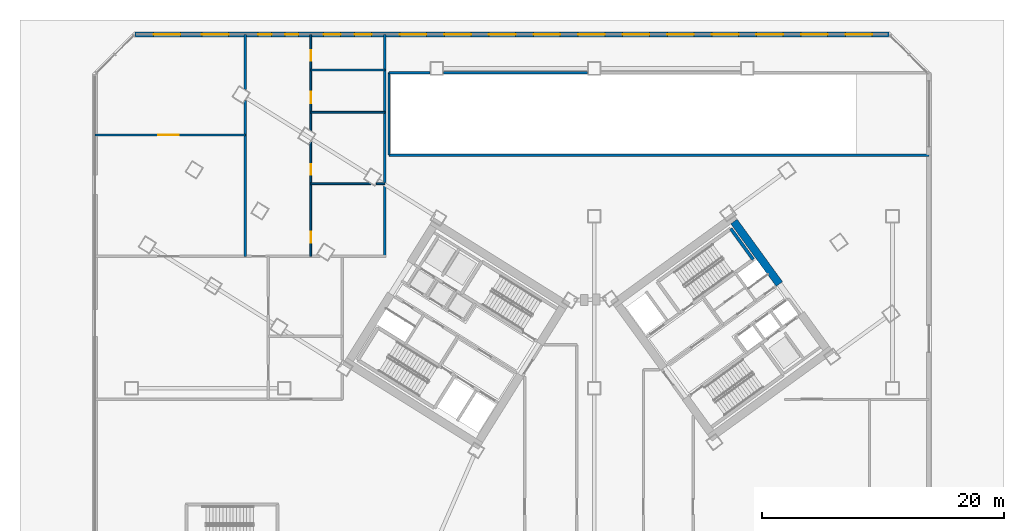
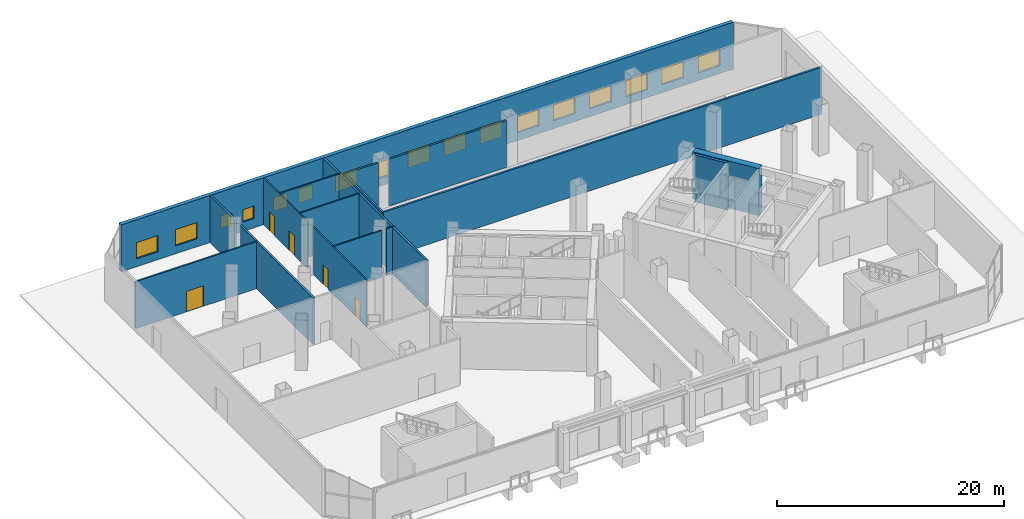
# One storey, part 13 of 22: 17 walls, 17 windows, 5 doors, 22 openings.
"""IFC4 building model written with IfcOpenShell, lengths in metres."""

from ifc_helpers import new_model, si_unit, direction, frame, frame_2d, origin, place, context, subcontext, project, spatial, rectangle, extrude, source, transform, mapped, material, layer, layer_set, type_object, element, fill, save


model = new_model("IFC4")

# Units and contexts
model_context = context("Model", 3, precision=1e-05, world=origin(), true_north=direction((0.0, 1.0)))
body_context = subcontext(model_context, "Body", "Model", "MODEL_VIEW")
ifc_project = project(units=[si_unit("LENGTHUNIT", "METRE"), si_unit("AREAUNIT", "SQUARE_METRE"), si_unit("VOLUMEUNIT", "CUBIC_METRE"), si_unit("PLANEANGLEUNIT", "RADIAN"), si_unit("MASSUNIT", "GRAM", prefix="KILO")], contexts=[model_context])

# Site, building, storey
site_placement = place(None, origin())
site = spatial("IfcSite", under=ifc_project, at=site_placement, CompositionType="ELEMENT")
building_placement = place(site_placement, origin())
building = spatial("IfcBuilding", under=site, at=building_placement, Name="Tlacorven Tower", CompositionType="ELEMENT")
storey_placement = place(building_placement, origin())
storey = spatial("IfcBuildingStorey", under=building, at=storey_placement, Name="L00", CompositionType="ELEMENT", Elevation=0.0)

# Wall
ifc_material_1 = material(Name="Concrete C60/75", Category="concrete")
ifc_layer_1 = layer(ifc_material_1, 0.64990234375)
ifc_layer_set_1 = layer_set([ifc_layer_1], Name="Concrete C60/75")
wall_type_1 = type_object("IfcWallType", Name="WL-COR-650", PredefinedType="SHEAR", material=ifc_layer_set_1)
wall_1_placement = place(storey_placement, frame((58.06396484375, 25.8134765625, 0.0), z_axis=(0.0, 0.0, 1.0), x_axis=(-0.58777996584, 0.809020835181, 0.0)))
element("IfcWall", 1, at=wall_1_placement, inside=storey, type_object=wall_type_1, Name="L00 E core end wall E2.2", PredefinedType="SHEAR", context=body_context, shape_type="SweptSolid", body=[
    extrude(rectangle(XDim=6.375, YDim=0.64990234375, at=frame_2d((3.1875, 0.0))), origin(), (0.0, 0.0, 1.0), 5.050048828125),
])

# Wall, opening, door
ifc_material_2 = material(Name="Gypsum plasterboard acoustic partition", Category="gypsum")
ifc_layer_2 = layer(ifc_material_2, 0.159912109375)
ifc_layer_set_2 = layer_set([ifc_layer_2], Name="Gypsum plasterboard acoustic partition")
wall_type_2 = type_object("IfcWallType", Name="WL-DEM-160", PredefinedType="PARTITIONING", material=ifc_layer_set_2)
wall_2_placement = place(storey_placement, frame((1.60009765625, 38.10009765625, 0.0), z_axis=(0.0, 0.0, 1.0), x_axis=(1.0, 0.0, 0.0)))
wall_2 = element("IfcWall", 2, at=wall_2_placement, inside=storey, type_object=wall_type_2, Name="L00 partition 74", PredefinedType="PARTITIONING", context=body_context, shape_type="SweptSolid", body=[
    extrude(rectangle(XDim=12.39990234375, YDim=0.159912109375, at=frame_2d((6.199951171875, 0.0))), origin(), (0.0, 0.0, 1.0), 5.0400390625),
])
opening_1_placement = place(wall_2_placement, frame((5.199951171875, 0.0, 0.0)))
opening_1 = element("IfcOpeningElement", 3, at=opening_1_placement, cuts=wall_2, Name="Opening D17", PredefinedType="OPENING", context=body_context, shape_type="SweptSolid", body=[
    extrude(rectangle(XDim=1.699951171875, YDim=2.199951171875, at=frame_2d((0.85009765625, 1.10009765625))), frame((0.0, 0.08984375, 0.0), z_axis=(0.0, -1.0, 0.0), x_axis=(1.0, 0.0, 0.0)), (0.0, 0.0, 1.0), 0.179931640625),
])
ifc_material_3 = material(Name="Fire-rated steel door assembly", Category="steel")
door_type_1 = type_object("IfcDoorType", Name="DR-COM-HALL-1700", OperationType="DOUBLE_DOOR_SINGLE_SWING", PredefinedType="DOOR", material=ifc_material_3)
shared_shape_1 = source(origin(), body_context, "Body", "SweptSolid", [
    extrude(rectangle(XDim=1.699951171875, YDim=2.199951171875, at=frame_2d((0.85009765625, 1.10009765625))), frame((0.0, 0.02490234375, 0.0), z_axis=(0.0, -1.0, 0.0), x_axis=(1.0, 0.0, 0.0)), (0.0, 0.0, 1.0), 0.050048828125),
])
door_1_placement = place(opening_1_placement, origin())
door_1 = element("IfcDoor", 4, at=door_1_placement, inside=storey, type_object=door_type_1, Name="L00 door 035", OperationType="DOUBLE_DOOR_SINGLE_SWING", OverallHeight=2.199951171875, OverallWidth=1.699951171875, PredefinedType="DOOR", context=body_context, shape_type="MappedRepresentation", body=[
    mapped(shared_shape_1, transform((0.0, 0.0, 0.0), scale=1.0)),
])
fill(opening_1, door_1)

# Wall, openings, windows
ifc_material_4 = material(Name="Precast concrete C45/55", Category="concrete")
ifc_layer_3 = layer(ifc_material_4, 0.3798828125)
ifc_layer_set_3 = layer_set([ifc_layer_3], Name="Precast concrete C45/55")
wall_type_3 = type_object("IfcWallType", Name="WL-EXT-380", PredefinedType="STANDARD", material=ifc_layer_set_3)
wall_3_placement = place(storey_placement, frame((4.8828125, 46.39990234375, 0.0), z_axis=(0.0, 0.0, 1.0), x_axis=(1.0, 0.0, 0.0)))
wall_3 = element("IfcWall", 5, at=wall_3_placement, inside=storey, type_object=wall_type_3, Name="L00 Podium Masonry-Frame Facade Wall 4", PredefinedType="STANDARD", context=body_context, shape_type="SweptSolid", body=[
    extrude(rectangle(XDim=62.234375, YDim=0.3798828125, at=frame_2d((31.1171875, 0.0))), origin(), (0.0, 0.0, 1.0), 5.050048828125),
])
opening_2_placement = place(wall_3_placement, frame((1.541748046875, 0.0, 0.85009765625)))
opening_2 = element("IfcOpeningElement", 6, at=opening_2_placement, cuts=wall_3, Name="Opening WN14", PredefinedType="OPENING", context=body_context, shape_type="SweptSolid", body=[
    extrude(rectangle(XDim=2.199951171875, YDim=1.75, at=frame_2d((1.10009765625, 0.875))), frame((0.0, 0.199951171875, 0.0), z_axis=(0.0, -1.0, 0.0), x_axis=(1.0, 0.0, 0.0)), (0.0, 0.0, 1.0), 0.39990234375),
])
opening_3_placement = place(wall_3_placement, frame((5.525390625, 0.0, 0.85009765625)))
opening_3 = element("IfcOpeningElement", 7, at=opening_3_placement, cuts=wall_3, Name="Opening WN14", PredefinedType="OPENING", context=body_context, shape_type="SweptSolid", body=[
    extrude(rectangle(XDim=2.199951171875, YDim=1.75, at=frame_2d((1.10009765625, 0.875))), frame((0.0, 0.199951171875, 0.0), z_axis=(0.0, -1.0, 0.0), x_axis=(1.0, 0.0, 0.0)), (0.0, 0.0, 1.0), 0.39990234375),
])
opening_4_placement = place(wall_3_placement, frame((10.1748046875, 0.0, 1.0)))
opening_4 = element("IfcOpeningElement", 8, at=opening_4_placement, cuts=wall_3, Name="Opening WN16", PredefinedType="OPENING", context=body_context, shape_type="SweptSolid", body=[
    extrude(rectangle(XDim=1.10009765625, YDim=1.35009765625, at=frame_2d((0.550048828125, 0.675048828125))), frame((0.0, 0.199951171875, 0.0), z_axis=(0.0, -1.0, 0.0), x_axis=(1.0, 0.0, 0.0)), (0.0, 0.0, 1.0), 0.39990234375),
])
opening_5_placement = place(wall_3_placement, frame((12.3896484375, 0.0, 1.0)))
opening_5 = element("IfcOpeningElement", 9, at=opening_5_placement, cuts=wall_3, Name="Opening WN16", PredefinedType="OPENING", context=body_context, shape_type="SweptSolid", body=[
    extrude(rectangle(XDim=1.10009765625, YDim=1.35009765625, at=frame_2d((0.550048828125, 0.675048828125))), frame((0.0, 0.199951171875, 0.0), z_axis=(0.0, -1.0, 0.0), x_axis=(1.0, 0.0, 0.0)), (0.0, 0.0, 1.0), 0.39990234375),
])
opening_6_placement = place(wall_3_placement, frame((15.569580078125, 0.0, 0.949951171875)))
opening_6 = element("IfcOpeningElement", 10, at=opening_6_placement, cuts=wall_3, Name="Opening WN15", PredefinedType="OPENING", context=body_context, shape_type="SweptSolid", body=[
    extrude(rectangle(XDim=1.39990234375, YDim=1.5, at=frame_2d((0.699951171875, 0.75))), frame((0.0, 0.199951171875, 0.0), z_axis=(0.0, -1.0, 0.0), x_axis=(1.0, 0.0, 0.0)), (0.0, 0.0, 1.0), 0.39990234375),
])
opening_7_placement = place(wall_3_placement, frame((18.134765625, 0.0, 0.949951171875)))
opening_7 = element("IfcOpeningElement", 11, at=opening_7_placement, cuts=wall_3, Name="Opening WN15", PredefinedType="OPENING", context=body_context, shape_type="SweptSolid", body=[
    extrude(rectangle(XDim=1.39990234375, YDim=1.5, at=frame_2d((0.699951171875, 0.75))), frame((0.0, 0.199951171875, 0.0), z_axis=(0.0, -1.0, 0.0), x_axis=(1.0, 0.0, 0.0)), (0.0, 0.0, 1.0), 0.39990234375),
])
opening_8_placement = place(wall_3_placement, frame((21.856689453125, 0.0, 0.85009765625)))
opening_8 = element("IfcOpeningElement", 12, at=opening_8_placement, cuts=wall_3, Name="Opening WN14", PredefinedType="OPENING", context=body_context, shape_type="SweptSolid", body=[
    extrude(rectangle(XDim=2.199951171875, YDim=1.75, at=frame_2d((1.10009765625, 0.875))), frame((0.0, 0.199951171875, 0.0), z_axis=(0.0, -1.0, 0.0), x_axis=(1.0, 0.0, 0.0)), (0.0, 0.0, 1.0), 0.39990234375),
])
opening_9_placement = place(wall_3_placement, frame((25.535400390625, 0.0, 0.85009765625)))
opening_9 = element("IfcOpeningElement", 13, at=opening_9_placement, cuts=wall_3, Name="Opening WN14", PredefinedType="OPENING", context=body_context, shape_type="SweptSolid", body=[
    extrude(rectangle(XDim=2.199951171875, YDim=1.75, at=frame_2d((1.10009765625, 0.875))), frame((0.0, 0.199951171875, 0.0), z_axis=(0.0, -1.0, 0.0), x_axis=(1.0, 0.0, 0.0)), (0.0, 0.0, 1.0), 0.39990234375),
])
opening_10_placement = place(wall_3_placement, frame((29.214111328125, 0.0, 0.85009765625)))
opening_10 = element("IfcOpeningElement", 14, at=opening_10_placement, cuts=wall_3, Name="Opening WN14", PredefinedType="OPENING", context=body_context, shape_type="SweptSolid", body=[
    extrude(rectangle(XDim=2.199951171875, YDim=1.75, at=frame_2d((1.10009765625, 0.875))), frame((0.0, 0.199951171875, 0.0), z_axis=(0.0, -1.0, 0.0), x_axis=(1.0, 0.0, 0.0)), (0.0, 0.0, 1.0), 0.39990234375),
])
opening_11_placement = place(wall_3_placement, frame((32.89306640625, 0.0, 0.85009765625)))
opening_11 = element("IfcOpeningElement", 15, at=opening_11_placement, cuts=wall_3, Name="Opening WN14", PredefinedType="OPENING", context=body_context, shape_type="SweptSolid", body=[
    extrude(rectangle(XDim=2.199951171875, YDim=1.75, at=frame_2d((1.10009765625, 0.875))), frame((0.0, 0.199951171875, 0.0), z_axis=(0.0, -1.0, 0.0), x_axis=(1.0, 0.0, 0.0)), (0.0, 0.0, 1.0), 0.39990234375),
])
opening_12_placement = place(wall_3_placement, frame((36.572021484375, 0.0, 0.85009765625)))
opening_12 = element("IfcOpeningElement", 16, at=opening_12_placement, cuts=wall_3, Name="Opening WN14", PredefinedType="OPENING", context=body_context, shape_type="SweptSolid", body=[
    extrude(rectangle(XDim=2.199951171875, YDim=1.75, at=frame_2d((1.10009765625, 0.875))), frame((0.0, 0.199951171875, 0.0), z_axis=(0.0, -1.0, 0.0), x_axis=(1.0, 0.0, 0.0)), (0.0, 0.0, 1.0), 0.39990234375),
])
opening_13_placement = place(wall_3_placement, frame((40.250732421875, 0.0, 0.85009765625)))
opening_13 = element("IfcOpeningElement", 17, at=opening_13_placement, cuts=wall_3, Name="Opening WN14", PredefinedType="OPENING", context=body_context, shape_type="SweptSolid", body=[
    extrude(rectangle(XDim=2.199951171875, YDim=1.75, at=frame_2d((1.10009765625, 0.875))), frame((0.0, 0.199951171875, 0.0), z_axis=(0.0, -1.0, 0.0), x_axis=(1.0, 0.0, 0.0)), (0.0, 0.0, 1.0), 0.39990234375),
])
opening_14_placement = place(wall_3_placement, frame((43.9296875, 0.0, 0.85009765625)))
opening_14 = element("IfcOpeningElement", 18, at=opening_14_placement, cuts=wall_3, Name="Opening WN14", PredefinedType="OPENING", context=body_context, shape_type="SweptSolid", body=[
    extrude(rectangle(XDim=2.199951171875, YDim=1.75, at=frame_2d((1.10009765625, 0.875))), frame((0.0, 0.199951171875, 0.0), z_axis=(0.0, -1.0, 0.0), x_axis=(1.0, 0.0, 0.0)), (0.0, 0.0, 1.0), 0.39990234375),
])
opening_15_placement = place(wall_3_placement, frame((47.6083984375, 0.0, 0.85009765625)))
opening_15 = element("IfcOpeningElement", 19, at=opening_15_placement, cuts=wall_3, Name="Opening WN14", PredefinedType="OPENING", context=body_context, shape_type="SweptSolid", body=[
    extrude(rectangle(XDim=2.199951171875, YDim=1.75, at=frame_2d((1.10009765625, 0.875))), frame((0.0, 0.199951171875, 0.0), z_axis=(0.0, -1.0, 0.0), x_axis=(1.0, 0.0, 0.0)), (0.0, 0.0, 1.0), 0.39990234375),
])
opening_16_placement = place(wall_3_placement, frame((51.287109375, 0.0, 0.85009765625)))
opening_16 = element("IfcOpeningElement", 20, at=opening_16_placement, cuts=wall_3, Name="Opening WN14", PredefinedType="OPENING", context=body_context, shape_type="SweptSolid", body=[
    extrude(rectangle(XDim=2.199951171875, YDim=1.75, at=frame_2d((1.10009765625, 0.875))), frame((0.0, 0.199951171875, 0.0), z_axis=(0.0, -1.0, 0.0), x_axis=(1.0, 0.0, 0.0)), (0.0, 0.0, 1.0), 0.39990234375),
])
opening_17_placement = place(wall_3_placement, frame((54.966064453125, 0.0, 0.85009765625)))
opening_17 = element("IfcOpeningElement", 21, at=opening_17_placement, cuts=wall_3, Name="Opening WN14", PredefinedType="OPENING", context=body_context, shape_type="SweptSolid", body=[
    extrude(rectangle(XDim=2.199951171875, YDim=1.75, at=frame_2d((1.10009765625, 0.875))), frame((0.0, 0.199951171875, 0.0), z_axis=(0.0, -1.0, 0.0), x_axis=(1.0, 0.0, 0.0)), (0.0, 0.0, 1.0), 0.39990234375),
])
opening_18_placement = place(wall_3_placement, frame((58.64501953125, 0.0, 0.85009765625)))
opening_18 = element("IfcOpeningElement", 22, at=opening_18_placement, cuts=wall_3, Name="Opening WN14", PredefinedType="OPENING", context=body_context, shape_type="SweptSolid", body=[
    extrude(rectangle(XDim=2.199951171875, YDim=1.75, at=frame_2d((1.10009765625, 0.875))), frame((0.0, 0.199951171875, 0.0), z_axis=(0.0, -1.0, 0.0), x_axis=(1.0, 0.0, 0.0)), (0.0, 0.0, 1.0), 0.39990234375),
])
ifc_material_5 = material(Name="Dark solar low-E double glazing in anodised aluminium frame", Category="aluminium")
window_type_1 = type_object("IfcWindowType", Name="WN-CLN-2200X1850", PartitioningType="SINGLE_PANEL", PredefinedType="WINDOW", material=ifc_material_5)
shared_shape_2 = source(origin(), body_context, "Body", "SweptSolid", [
    extrude(rectangle(XDim=2.199951171875, YDim=1.75, at=frame_2d((1.10009765625, 0.875))), frame((0.0, 0.030029296875, 0.0), z_axis=(0.0, -1.0, 0.0), x_axis=(1.0, 0.0, 0.0)), (0.0, 0.0, 1.0), 0.06005859375),
])
window_1_placement = place(opening_2_placement, origin())
window_1 = element("IfcWindow", 23, at=window_1_placement, inside=storey, type_object=window_type_1, Name="L00 Podium Recessed Facade Window 4.1", OverallHeight=1.75, OverallWidth=2.199951171875, PartitioningType="SINGLE_PANEL", PredefinedType="WINDOW", context=body_context, shape_type="MappedRepresentation", body=[
    mapped(shared_shape_2, transform((0.0, 0.0, 0.0), scale=1.0)),
])
fill(opening_2, window_1)
window_2_placement = place(opening_3_placement, origin())
window_2 = element("IfcWindow", 24, at=window_2_placement, inside=storey, type_object=window_type_1, Name="L00 Podium Recessed Facade Window 4.2", OverallHeight=1.75, OverallWidth=2.199951171875, PartitioningType="SINGLE_PANEL", PredefinedType="WINDOW", context=body_context, shape_type="MappedRepresentation", body=[
    mapped(shared_shape_2, transform((0.0, 0.0, 0.0), scale=1.0)),
])
fill(opening_3, window_2)
window_3_placement = place(opening_8_placement, origin())
window_3 = element("IfcWindow", 25, at=window_3_placement, inside=storey, type_object=window_type_1, Name="L00 Podium Recessed Facade Window 4.7", OverallHeight=1.75, OverallWidth=2.199951171875, PartitioningType="SINGLE_PANEL", PredefinedType="WINDOW", context=body_context, shape_type="MappedRepresentation", body=[
    mapped(shared_shape_2, transform((0.0, 0.0, 0.0), scale=1.0)),
])
fill(opening_8, window_3)
window_4_placement = place(opening_9_placement, origin())
window_4 = element("IfcWindow", 26, at=window_4_placement, inside=storey, type_object=window_type_1, Name="L00 Podium Recessed Facade Window 4.8", OverallHeight=1.75, OverallWidth=2.199951171875, PartitioningType="SINGLE_PANEL", PredefinedType="WINDOW", context=body_context, shape_type="MappedRepresentation", body=[
    mapped(shared_shape_2, transform((0.0, 0.0, 0.0), scale=1.0)),
])
fill(opening_9, window_4)
window_5_placement = place(opening_10_placement, origin())
window_5 = element("IfcWindow", 27, at=window_5_placement, inside=storey, type_object=window_type_1, Name="L00 Podium Recessed Facade Window 4.9", OverallHeight=1.75, OverallWidth=2.199951171875, PartitioningType="SINGLE_PANEL", PredefinedType="WINDOW", context=body_context, shape_type="MappedRepresentation", body=[
    mapped(shared_shape_2, transform((0.0, 0.0, 0.0), scale=1.0)),
])
fill(opening_10, window_5)
window_6_placement = place(opening_11_placement, origin())
window_6 = element("IfcWindow", 28, at=window_6_placement, inside=storey, type_object=window_type_1, Name="L00 Podium Recessed Facade Window 4.10", OverallHeight=1.75, OverallWidth=2.199951171875, PartitioningType="SINGLE_PANEL", PredefinedType="WINDOW", context=body_context, shape_type="MappedRepresentation", body=[
    mapped(shared_shape_2, transform((0.0, 0.0, 0.0), scale=1.0)),
])
fill(opening_11, window_6)
window_7_placement = place(opening_12_placement, origin())
window_7 = element("IfcWindow", 29, at=window_7_placement, inside=storey, type_object=window_type_1, Name="L00 Podium Recessed Facade Window 4.11", OverallHeight=1.75, OverallWidth=2.199951171875, PartitioningType="SINGLE_PANEL", PredefinedType="WINDOW", context=body_context, shape_type="MappedRepresentation", body=[
    mapped(shared_shape_2, transform((0.0, 0.0, 0.0), scale=1.0)),
])
fill(opening_12, window_7)
window_8_placement = place(opening_13_placement, origin())
window_8 = element("IfcWindow", 30, at=window_8_placement, inside=storey, type_object=window_type_1, Name="L00 Podium Recessed Facade Window 4.12", OverallHeight=1.75, OverallWidth=2.199951171875, PartitioningType="SINGLE_PANEL", PredefinedType="WINDOW", context=body_context, shape_type="MappedRepresentation", body=[
    mapped(shared_shape_2, transform((0.0, 0.0, 0.0), scale=1.0)),
])
fill(opening_13, window_8)
window_9_placement = place(opening_14_placement, origin())
window_9 = element("IfcWindow", 31, at=window_9_placement, inside=storey, type_object=window_type_1, Name="L00 Podium Recessed Facade Window 4.13", OverallHeight=1.75, OverallWidth=2.199951171875, PartitioningType="SINGLE_PANEL", PredefinedType="WINDOW", context=body_context, shape_type="MappedRepresentation", body=[
    mapped(shared_shape_2, transform((0.0, 0.0, 0.0), scale=1.0)),
])
fill(opening_14, window_9)
window_10_placement = place(opening_15_placement, origin())
window_10 = element("IfcWindow", 32, at=window_10_placement, inside=storey, type_object=window_type_1, Name="L00 Podium Recessed Facade Window 4.14", OverallHeight=1.75, OverallWidth=2.199951171875, PartitioningType="SINGLE_PANEL", PredefinedType="WINDOW", context=body_context, shape_type="MappedRepresentation", body=[
    mapped(shared_shape_2, transform((0.0, 0.0, 0.0), scale=1.0)),
])
fill(opening_15, window_10)
window_11_placement = place(opening_16_placement, origin())
window_11 = element("IfcWindow", 33, at=window_11_placement, inside=storey, type_object=window_type_1, Name="L00 Podium Recessed Facade Window 4.15", OverallHeight=1.75, OverallWidth=2.199951171875, PartitioningType="SINGLE_PANEL", PredefinedType="WINDOW", context=body_context, shape_type="MappedRepresentation", body=[
    mapped(shared_shape_2, transform((0.0, 0.0, 0.0), scale=1.0)),
])
fill(opening_16, window_11)
window_12_placement = place(opening_17_placement, origin())
window_12 = element("IfcWindow", 34, at=window_12_placement, inside=storey, type_object=window_type_1, Name="L00 Podium Recessed Facade Window 4.16", OverallHeight=1.75, OverallWidth=2.199951171875, PartitioningType="SINGLE_PANEL", PredefinedType="WINDOW", context=body_context, shape_type="MappedRepresentation", body=[
    mapped(shared_shape_2, transform((0.0, 0.0, 0.0), scale=1.0)),
])
fill(opening_17, window_12)
window_13_placement = place(opening_18_placement, origin())
window_13 = element("IfcWindow", 35, at=window_13_placement, inside=storey, type_object=window_type_1, Name="L00 Podium Recessed Facade Window 4.17", OverallHeight=1.75, OverallWidth=2.199951171875, PartitioningType="SINGLE_PANEL", PredefinedType="WINDOW", context=body_context, shape_type="MappedRepresentation", body=[
    mapped(shared_shape_2, transform((0.0, 0.0, 0.0), scale=1.0)),
])
fill(opening_18, window_13)
window_type_2 = type_object("IfcWindowType", Name="WN-CLN-1100X1400", PartitioningType="SINGLE_PANEL", PredefinedType="WINDOW", material=ifc_material_5)
shared_shape_3 = source(origin(), body_context, "Body", "SweptSolid", [
    extrude(rectangle(XDim=1.10009765625, YDim=1.35009765625, at=frame_2d((0.550048828125, 0.675048828125))), frame((0.0, 0.030029296875, 0.0), z_axis=(0.0, -1.0, 0.0), x_axis=(1.0, 0.0, 0.0)), (0.0, 0.0, 1.0), 0.06005859375),
])
window_14_placement = place(opening_4_placement, origin())
window_14 = element("IfcWindow", 36, at=window_14_placement, inside=storey, type_object=window_type_2, Name="L00 Podium Recessed Facade Window 4.3", OverallHeight=1.35009765625, OverallWidth=1.10009765625, PartitioningType="SINGLE_PANEL", PredefinedType="WINDOW", context=body_context, shape_type="MappedRepresentation", body=[
    mapped(shared_shape_3, transform((0.0, 0.0, 0.0), scale=1.0)),
])
fill(opening_4, window_14)
window_15_placement = place(opening_5_placement, origin())
window_15 = element("IfcWindow", 37, at=window_15_placement, inside=storey, type_object=window_type_2, Name="L00 Podium Recessed Facade Window 4.4", OverallHeight=1.35009765625, OverallWidth=1.10009765625, PartitioningType="SINGLE_PANEL", PredefinedType="WINDOW", context=body_context, shape_type="MappedRepresentation", body=[
    mapped(shared_shape_3, transform((0.0, 0.0, 0.0), scale=1.0)),
])
fill(opening_5, window_15)
window_type_3 = type_object("IfcWindowType", Name="WN-CLN-1400X1600", PartitioningType="SINGLE_PANEL", PredefinedType="WINDOW", material=ifc_material_5)
shared_shape_4 = source(origin(), body_context, "Body", "SweptSolid", [
    extrude(rectangle(XDim=1.39990234375, YDim=1.5, at=frame_2d((0.699951171875, 0.75))), frame((0.0, 0.030029296875, 0.0), z_axis=(0.0, -1.0, 0.0), x_axis=(1.0, 0.0, 0.0)), (0.0, 0.0, 1.0), 0.06005859375),
])
window_16_placement = place(opening_6_placement, origin())
window_16 = element("IfcWindow", 38, at=window_16_placement, inside=storey, type_object=window_type_3, Name="L00 Podium Recessed Facade Window 4.5", OverallHeight=1.5, OverallWidth=1.39990234375, PartitioningType="SINGLE_PANEL", PredefinedType="WINDOW", context=body_context, shape_type="MappedRepresentation", body=[
    mapped(shared_shape_4, transform((0.0, 0.0, 0.0), scale=1.0)),
])
fill(opening_6, window_16)
window_17_placement = place(opening_7_placement, origin())
window_17 = element("IfcWindow", 39, at=window_17_placement, inside=storey, type_object=window_type_3, Name="L00 Podium Recessed Facade Window 4.6", OverallHeight=1.5, OverallWidth=1.39990234375, PartitioningType="SINGLE_PANEL", PredefinedType="WINDOW", context=body_context, shape_type="MappedRepresentation", body=[
    mapped(shared_shape_4, transform((0.0, 0.0, 0.0), scale=1.0)),
])
fill(opening_7, window_17)

# Wall, openings, doors
ifc_material_6 = material(Name="Moisture-resistant gypsum plumbing wall", Category="gypsum")
ifc_layer_4 = layer(ifc_material_6, 0.139892578125)
ifc_layer_set_4 = layer_set([ifc_layer_4], Name="Moisture-resistant gypsum plumbing wall")
wall_type_4 = type_object("IfcWallType", Name="WL-PLM-140", PredefinedType="PLUMBINGWALL", material=ifc_layer_set_4)
wall_4_placement = place(storey_placement, frame((19.39990234375, 28.10009765625, 0.0), z_axis=(0.0, 0.0, 1.0), x_axis=(0.0, 1.0, 0.0)))
wall_4 = element("IfcWall", 40, at=wall_4_placement, inside=storey, type_object=wall_type_4, Name="L00 partition 76", PredefinedType="PLUMBINGWALL", context=body_context, shape_type="SweptSolid", body=[
    extrude(rectangle(XDim=9.416015625, YDim=0.139892578125, at=frame_2d((4.7080078125, 0.0))), origin(), (0.0, 0.0, 1.0), 5.0400390625),
])
opening_19_placement = place(wall_4_placement, frame((1.1298828125, 0.0, 0.0)))
opening_19 = element("IfcOpeningElement", 41, at=opening_19_placement, cuts=wall_4, Name="Opening D13", PredefinedType="OPENING", context=body_context, shape_type="SweptSolid", body=[
    extrude(rectangle(XDim=0.8798828125, YDim=2.080078125, at=frame_2d((0.43994140625, 1.0400390625))), frame((0.0, 0.080078125, 0.0), z_axis=(0.0, -1.0, 0.0), x_axis=(1.0, 0.0, 0.0)), (0.0, 0.0, 1.0), 0.159912109375),
])
opening_20_placement = place(wall_4_placement, frame((6.72998046875, 0.0, 0.0)))
opening_20 = element("IfcOpeningElement", 42, at=opening_20_placement, cuts=wall_4, Name="Opening D13", PredefinedType="OPENING", context=body_context, shape_type="SweptSolid", body=[
    extrude(rectangle(XDim=0.8798828125, YDim=2.080078125, at=frame_2d((0.43994140625, 1.0400390625))), frame((0.0, 0.080078125, 0.0), z_axis=(0.0, -1.0, 0.0), x_axis=(1.0, 0.0, 0.0)), (0.0, 0.0, 1.0), 0.159912109375),
])
ifc_material_7 = material(Name="Powder-coated aluminium and timber door", Category="wood")
door_type_2 = type_object("IfcDoorType", Name="DR-INT-WET-0880", OperationType="NOTDEFINED", PredefinedType="DOOR", material=ifc_material_7)
shared_shape_5 = source(origin(), body_context, "Body", "SweptSolid", [
    extrude(rectangle(XDim=0.8798828125, YDim=2.080078125, at=frame_2d((0.43994140625, 1.0400390625))), frame((0.0, 0.02490234375, 0.0), z_axis=(0.0, -1.0, 0.0), x_axis=(1.0, 0.0, 0.0)), (0.0, 0.0, 1.0), 0.050048828125),
])
door_2_placement = place(opening_19_placement, frame((0.8798828125, 0.0, 0.0), z_axis=(0.0, 0.0, 1.0), x_axis=(-1.0, 0.0, 0.0)))
door_2 = element("IfcDoor", 43, at=door_2_placement, inside=storey, type_object=door_type_2, Name="L00 door 037", OperationType="SINGLE_SWING_RIGHT", OverallHeight=2.080078125, OverallWidth=0.8798828125, PredefinedType="DOOR", context=body_context, shape_type="MappedRepresentation", body=[
    mapped(shared_shape_5, transform((0.0, 0.0, 0.0), scale=1.0)),
])
fill(opening_19, door_2)
door_3_placement = place(opening_20_placement, frame((0.8798828125, 0.0, 0.0), z_axis=(0.0, 0.0, 1.0), x_axis=(-1.0, 0.0, 0.0)))
door_3 = element("IfcDoor", 44, at=door_3_placement, inside=storey, type_object=door_type_2, Name="L00 door 038", OperationType="SINGLE_SWING_LEFT", OverallHeight=2.080078125, OverallWidth=0.8798828125, PredefinedType="DOOR", context=body_context, shape_type="MappedRepresentation", body=[
    mapped(shared_shape_5, transform((0.0, 0.0, 0.0), scale=1.0)),
])
fill(opening_20, door_3)

wall_5_placement = place(storey_placement, frame((19.39990234375, 38.48095703125, 0.0), z_axis=(0.0, 0.0, 1.0), x_axis=(0.0, 1.0, 0.0)))
wall_5 = element("IfcWall", 45, at=wall_5_placement, inside=storey, type_object=wall_type_4, Name="L00 partition 76", PredefinedType="PLUMBINGWALL", context=body_context, shape_type="SweptSolid", body=[
    extrude(rectangle(XDim=7.9189453125, YDim=0.139892578125, at=frame_2d((3.95947265625, 0.0))), origin(), (0.0, 0.0, 1.0), 5.0400390625),
])
opening_21_placement = place(wall_5_placement, frame((2.249267578125, 0.0, 0.0)))
opening_21 = element("IfcOpeningElement", 46, at=opening_21_placement, cuts=wall_5, Name="Opening D14", PredefinedType="OPENING", context=body_context, shape_type="SweptSolid", body=[
    extrude(rectangle(XDim=0.9599609375, YDim=2.080078125, at=frame_2d((0.47998046875, 1.0400390625))), frame((0.0, 0.080078125, 0.0), z_axis=(0.0, -1.0, 0.0), x_axis=(1.0, 0.0, 0.0)), (0.0, 0.0, 1.0), 0.159912109375),
])
opening_22_placement = place(wall_5_placement, frame((5.7490234375, 0.0, 0.0)))
opening_22 = element("IfcOpeningElement", 47, at=opening_22_placement, cuts=wall_5, Name="Opening D13", PredefinedType="OPENING", context=body_context, shape_type="SweptSolid", body=[
    extrude(rectangle(XDim=0.8798828125, YDim=2.080078125, at=frame_2d((0.43994140625, 1.0400390625))), frame((0.0, 0.080078125, 0.0), z_axis=(0.0, -1.0, 0.0), x_axis=(1.0, 0.0, 0.0)), (0.0, 0.0, 1.0), 0.159912109375),
])
door_4_placement = place(opening_22_placement, frame((0.8798828125, 0.0, 0.0), z_axis=(0.0, 0.0, 1.0), x_axis=(-1.0, 0.0, 0.0)))
door_4 = element("IfcDoor", 48, at=door_4_placement, inside=storey, type_object=door_type_2, Name="L00 door 040", OperationType="SINGLE_SWING_LEFT", OverallHeight=2.080078125, OverallWidth=0.8798828125, PredefinedType="DOOR", context=body_context, shape_type="MappedRepresentation", body=[
    mapped(shared_shape_5, transform((0.0, 0.0, 0.0), scale=1.0)),
])
fill(opening_22, door_4)
door_type_3 = type_object("IfcDoorType", Name="DR-INT-AWC-0960", OperationType="NOTDEFINED", PredefinedType="DOOR", material=ifc_material_7)
shared_shape_6 = source(origin(), body_context, "Body", "SweptSolid", [
    extrude(rectangle(XDim=0.9599609375, YDim=2.080078125, at=frame_2d((0.47998046875, 1.0400390625))), frame((0.0, 0.02490234375, 0.0), z_axis=(0.0, -1.0, 0.0), x_axis=(1.0, 0.0, 0.0)), (0.0, 0.0, 1.0), 0.050048828125),
])
door_5_placement = place(opening_21_placement, frame((0.9599609375, 0.0, 0.0), z_axis=(0.0, 0.0, 1.0), x_axis=(-1.0, 0.0, 0.0)))
door_5 = element("IfcDoor", 49, at=door_5_placement, inside=storey, type_object=door_type_3, Name="L00 door 039", OperationType="SINGLE_SWING_RIGHT", OverallHeight=2.080078125, OverallWidth=0.9599609375, PredefinedType="DOOR", context=body_context, shape_type="MappedRepresentation", body=[
    mapped(shared_shape_6, transform((0.0, 0.0, 0.0), scale=1.0)),
])
fill(opening_21, door_5)

# Walls
wall_6_placement = place(storey_placement, frame((19.39990234375, 34.080078125, 0.0), z_axis=(0.0, 0.0, 1.0), x_axis=(1.0, 0.0, 0.0)))
element("IfcWall", 50, at=wall_6_placement, inside=storey, type_object=wall_type_4, Name="L00 partition 77", PredefinedType="PLUMBINGWALL", context=body_context, shape_type="SweptSolid", body=[
    extrude(rectangle(XDim=4.959716796875, YDim=0.139892578125, at=frame_2d((2.47998046875, 0.0))), origin(), (0.0, 0.0, 1.0), 5.0400390625),
])
wall_7_placement = place(storey_placement, frame((24.799560546875, 34.080078125, 0.0), z_axis=(0.0, 0.0, 1.0), x_axis=(1.0, 0.0, 0.0)))
element("IfcWall", 51, at=wall_7_placement, inside=storey, type_object=wall_type_4, Name="L00 partition 77", PredefinedType="PLUMBINGWALL", context=body_context, shape_type="SweptSolid", body=[
    extrude(rectangle(XDim=0.700439453125, YDim=0.139892578125, at=frame_2d((0.35009765625, 0.0))), origin(), (0.0, 0.0, 1.0), 5.0400390625),
])
for number, where, z_axis, x_axis, name in (
    (52, (19.39990234375, 39.97998046875, 0.0), (0.0, 0.0, 1.0), (1.0, 0.0, 0.0), "L00 partition 78"),
    (53, (19.39990234375, 43.47998046875, 0.0), (0.0, 0.0, 1.0), (1.0, 0.0, 0.0), "L00 partition 79"),
):
    element("IfcWall", number, at=place(storey_placement, frame(where, z_axis=z_axis, x_axis=x_axis)), inside=storey, type_object=wall_type_4, Name=name, PredefinedType="PLUMBINGWALL", context=body_context, shape_type="SweptSolid", body=[
        extrude(rectangle(XDim=6.10009765625, YDim=0.139892578125, at=frame_2d((3.050048828125, 0.0))), origin(), (0.0, 0.0, 1.0), 5.0400390625),
    ])
ifc_material_8 = material(Name="Concrete C40/50", Category="concrete")
ifc_layer_5 = layer(ifc_material_8, 0.199951171875)
ifc_layer_set_5 = layer_set([ifc_layer_5], Name="Concrete C40/50")
wall_type_5 = type_object("IfcWallType", Name="WL-SHF-200", PredefinedType="STANDARD", material=ifc_layer_set_5)
wall_8_placement = place(storey_placement, frame((14.0, 28.10009765625, 0.0), z_axis=(0.0, 0.0, 1.0), x_axis=(0.0, 1.0, 0.0)))
element("IfcWall", 54, at=wall_8_placement, inside=storey, type_object=wall_type_5, Name="L00 partition 73", PredefinedType="STANDARD", context=body_context, shape_type="SweptSolid", body=[
    extrude(rectangle(XDim=12.8515625, YDim=0.199951171875, at=frame_2d((6.42578125, 0.0))), origin(), (0.0, 0.0, 1.0), 5.0400390625),
])
wall_9_placement = place(storey_placement, frame((14.0, 41.855224609375, 0.0), z_axis=(0.0, 0.0, 1.0), x_axis=(0.0, 1.0, 0.0)))
element("IfcWall", 55, at=wall_9_placement, inside=storey, type_object=wall_type_5, Name="L00 partition 73", PredefinedType="STANDARD", context=body_context, shape_type="SweptSolid", body=[
    extrude(rectangle(XDim=4.544677734375, YDim=0.199951171875, at=frame_2d((2.2724609375, 0.0))), origin(), (0.0, 0.0, 1.0), 5.0400390625),
])
wall_10_placement = place(storey_placement, frame((25.5, 28.10009765625, 0.0), z_axis=(0.0, 0.0, 1.0), x_axis=(0.0, 1.0, 0.0)))
element("IfcWall", 56, at=wall_10_placement, inside=storey, type_object=wall_type_5, Name="L00 partition 75", PredefinedType="STANDARD", context=body_context, shape_type="SweptSolid", body=[
    extrude(rectangle(XDim=18.2998046875, YDim=0.199951171875, at=frame_2d((9.14990234375, 0.0))), origin(), (0.0, 0.0, 1.0), 5.0400390625),
])
wall_11_placement = place(storey_placement, frame((25.85009765625, 36.449951171875, 0.0), z_axis=(0.0, 0.0, 1.0), x_axis=(1.0, 0.0, 0.0)))
element("IfcWall", 57, at=wall_11_placement, inside=storey, type_object=wall_type_5, Name="L00 partition 84", PredefinedType="STANDARD", context=body_context, shape_type="SweptSolid", body=[
    extrude(rectangle(XDim=44.5498046875, YDim=0.199951171875, at=frame_2d((22.27490234375, 0.0))), origin(), (0.0, 0.0, 1.0), 5.0400390625),
])
wall_12_placement = place(storey_placement, frame((25.85009765625, 43.25, 0.0), z_axis=(0.0, 0.0, 1.0), x_axis=(1.0, 0.0, 0.0)))
element("IfcWall", 58, at=wall_12_placement, inside=storey, type_object=wall_type_5, Name="L00 partition 85", PredefinedType="STANDARD", context=body_context, shape_type="SweptSolid", body=[
    extrude(rectangle(XDim=3.39794921875, YDim=0.199951171875, at=frame_2d((1.698974609375, 0.0))), origin(), (0.0, 0.0, 1.0), 5.0400390625),
])
wall_13_placement = place(storey_placement, frame((30.35205078125, 43.25, 0.0), z_axis=(0.0, 0.0, 1.0), x_axis=(1.0, 0.0, 0.0)))
element("IfcWall", 59, at=wall_13_placement, inside=storey, type_object=wall_type_5, Name="L00 partition 85", PredefinedType="STANDARD", context=body_context, shape_type="SweptSolid", body=[
    extrude(rectangle(XDim=11.89599609375, YDim=0.199951171875, at=frame_2d((5.947998046875, 0.0))), origin(), (0.0, 0.0, 1.0), 5.0400390625),
])
wall_14_placement = place(storey_placement, frame((25.85009765625, 36.449951171875, 0.0), z_axis=(0.0, 0.0, 1.0), x_axis=(0.0, 1.0, 0.0)))
element("IfcWall", 60, at=wall_14_placement, inside=storey, type_object=wall_type_5, Name="L00 partition 86", PredefinedType="STANDARD", context=body_context, shape_type="SweptSolid", body=[
    extrude(rectangle(XDim=6.800048828125, YDim=0.199951171875, at=frame_2d((3.39990234375, 0.0))), origin(), (0.0, 0.0, 1.0), 5.0400390625),
])
ifc_material_9 = material(Name="Concrete C50/60", Category="concrete")
ifc_layer_6 = layer(ifc_material_9, 0.260009765625)
ifc_layer_set_6 = layer_set([ifc_layer_6], Name="Concrete C50/60")
wall_type_6 = type_object("IfcWallType", Name="WL-STW-260", PredefinedType="SHEAR", material=ifc_layer_set_6)
wall_15_placement = place(storey_placement, frame((55.906494140625, 27.83056640625, 0.0), z_axis=(0.0, 0.0, 1.0), x_axis=(-0.587804123638, 0.809003283204, 0.0)))
element("IfcWall", 61, at=wall_15_placement, inside=storey, type_object=wall_type_6, Name="L00 Stair E1 East Shear Wall", PredefinedType="SHEAR", context=body_context, shape_type="SweptSolid", body=[
    extrude(rectangle(XDim=3.159912109375, YDim=0.260009765625, at=frame_2d((1.580078125, 0.0))), origin(), (0.0, 0.0, 1.0), 5.050048828125),
])

save(model, "model.ifc")
